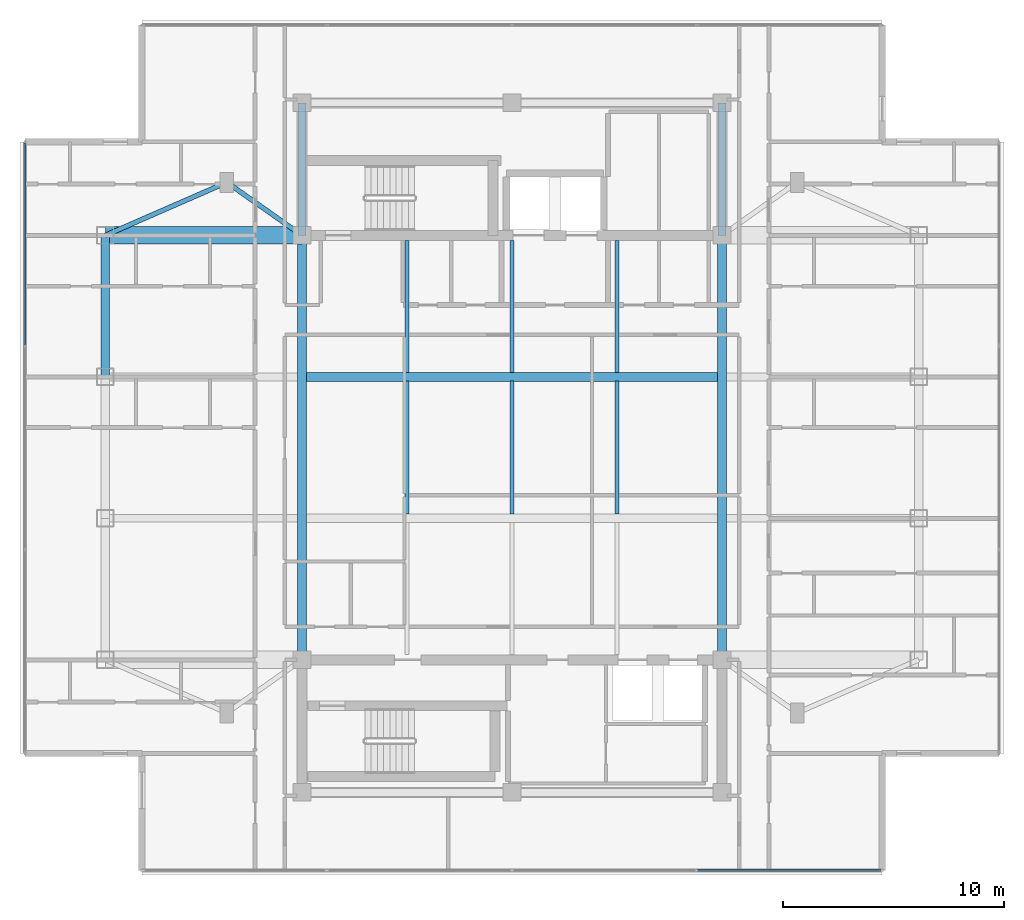
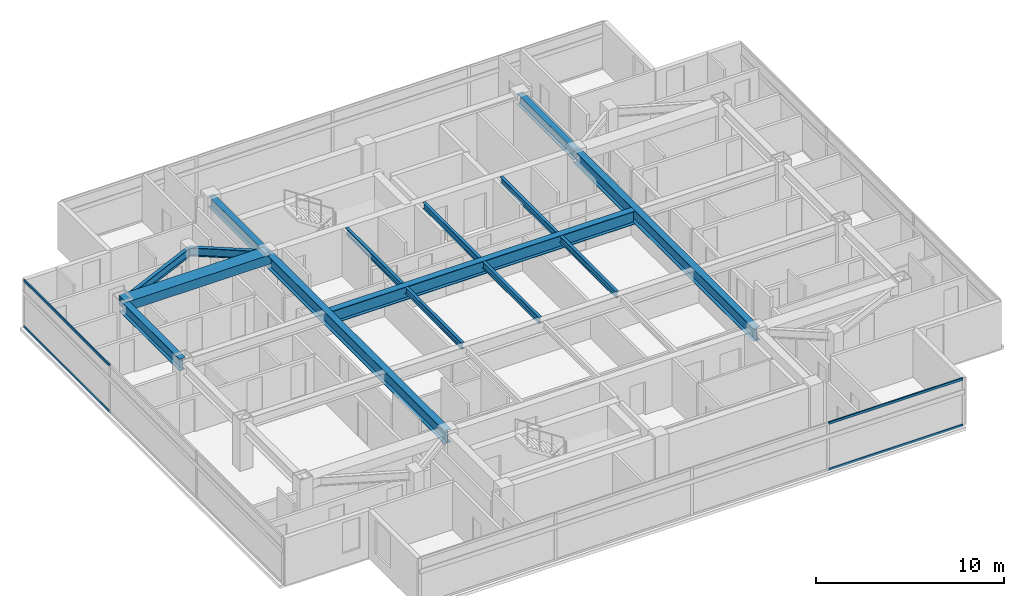
# One storey, part 3 of 14: 15 beams, 4 members, 2 elements without a shape of their own.
"""IFC4 building model written with IfcOpenShell, lengths in metres."""

from ifc_helpers import new_model, si_unit, direction, frame, origin, origin_2d, place, context, subcontext, project, spatial, rectangle, i_section, extrude, material, material_profile, profile_set, type_object, element, aggregate, save


model = new_model("IFC4")

# Units and contexts
model_context = context("Model", 3, precision=1e-05, world=origin(), true_north=direction((0.0, 1.0)))
body_context = subcontext(model_context, "Body", "Model", "MODEL_VIEW")
ifc_project = project(units=[si_unit("LENGTHUNIT", "METRE"), si_unit("AREAUNIT", "SQUARE_METRE"), si_unit("VOLUMEUNIT", "CUBIC_METRE"), si_unit("PLANEANGLEUNIT", "RADIAN"), si_unit("MASSUNIT", "GRAM", prefix="KILO")], contexts=[model_context])

# Site, building, storey
site_placement = place(None, origin())
site = spatial("IfcSite", under=ifc_project, at=site_placement, CompositionType="ELEMENT")
building_placement = place(site_placement, origin())
building = spatial("IfcBuilding", under=site, at=building_placement, Name="Mirazonda Arch Towers", CompositionType="ELEMENT")
storey_placement = place(building_placement, frame((0.0, 0.0, 242.5)))
storey = spatial("IfcBuildingStorey", under=building, at=storey_placement, Name="L69", CompositionType="ELEMENT", Elevation=242.5)

# Beams
ifc_material_1 = material(Name="Steel ASTM A992 Grade 50", Category="steel")
ifc_material_profile_1 = material_profile(ifc_material_1, i_section(OverallWidth=0.381103515625, OverallDepth=0.77294921875, WebThickness=0.0166015625, FlangeThickness=0.027099609375, at=origin_2d()), Name="W30X173")
ifc_profile_set_1 = profile_set([ifc_material_profile_1], Name="Steel ASTM A992 Grade 50")
beam_type_1 = type_object("IfcBeamType", Name="BM-EXT-W30X173", PredefinedType="USERDEFINED", material=ifc_profile_set_1)
beam_1_placement = place(storey_placement, frame((2.10009765625, 31.199951171875, 2.71337890625), z_axis=(0.0, 1.0, 0.0), x_axis=(-1.0, 0.0, 0.0)))
element("IfcBeam", 1, at=beam_1_placement, inside=storey, type_object=beam_type_1, Name="L69 Floor Beam BM-T1-L69-NS-W-31", ObjectType="GIRDER", PredefinedType="USERDEFINED", context=body_context, shape_type="SweptSolid", body=[
    extrude(i_section(OverallWidth=0.381103515625, OverallDepth=0.77294921875, WebThickness=0.0166015625, FlangeThickness=0.027099609375, at=origin_2d()), origin(), (0.0, 0.0, 1.0), 6.400146484375),
])
ifc_material_profile_2 = material_profile(ifc_material_1, i_section(OverallWidth=0.180908203125, OverallDepth=0.4169921875, WebThickness=0.010986328125, FlangeThickness=0.018310546875, at=origin_2d()), Name="W16X57")
ifc_profile_set_2 = profile_set([ifc_material_profile_2], Name="Steel ASTM A992 Grade 50")
beam_type_2 = type_object("IfcBeamType", Name="BM-INT-W16X57", PredefinedType="JOIST", material=ifc_profile_set_2)
beam_2_placement = place(storey_placement, frame((15.75, 31.39599609375, 2.8916015625), z_axis=(0.0, 1.0, 0.0), x_axis=(-1.0, 0.0, 0.0)))
element("IfcBeam", 2, at=beam_2_placement, inside=storey, type_object=beam_type_2, Name="L69 Floor Beam BM-T1-L69-J-157-31", PredefinedType="JOIST", context=body_context, shape_type="SweptSolid", body=[
    extrude(i_section(OverallWidth=0.180908203125, OverallDepth=0.4169921875, WebThickness=0.010986328125, FlangeThickness=0.018310546875, at=origin_2d()), origin(), (0.0, 0.0, 1.0), 5.964111328125),
])
beam_3_placement = place(storey_placement, frame((15.75, 24.99609375, 2.8916015625), z_axis=(0.0, 1.0, 0.0), x_axis=(-1.0, 0.0, 0.0)))
element("IfcBeam", 3, at=beam_3_placement, inside=storey, type_object=beam_type_2, Name="L69 Floor Beam BM-T1-L69-J-157-24", PredefinedType="JOIST", context=body_context, shape_type="SweptSolid", body=[
    extrude(i_section(OverallWidth=0.180908203125, OverallDepth=0.4169921875, WebThickness=0.010986328125, FlangeThickness=0.018310546875, at=origin_2d()), origin(), (0.0, 0.0, 1.0), 6.0078125),
])
beam_4_placement = place(storey_placement, frame((20.5, 31.39599609375, 2.8916015625), z_axis=(0.0, 1.0, 0.0), x_axis=(-1.0, 0.0, 0.0)))
element("IfcBeam", 4, at=beam_4_placement, inside=storey, type_object=beam_type_2, Name="L69 Floor Beam BM-T1-L69-J-205-31", PredefinedType="JOIST", context=body_context, shape_type="SweptSolid", body=[
    extrude(i_section(OverallWidth=0.180908203125, OverallDepth=0.4169921875, WebThickness=0.010986328125, FlangeThickness=0.018310546875, at=origin_2d()), origin(), (0.0, 0.0, 1.0), 5.964111328125),
])
beam_5_placement = place(storey_placement, frame((20.5, 24.99609375, 2.8916015625), z_axis=(0.0, 1.0, 0.0), x_axis=(-1.0, 0.0, 0.0)))
element("IfcBeam", 5, at=beam_5_placement, inside=storey, type_object=beam_type_2, Name="L69 Floor Beam BM-T1-L69-J-205-24", PredefinedType="JOIST", context=body_context, shape_type="SweptSolid", body=[
    extrude(i_section(OverallWidth=0.180908203125, OverallDepth=0.4169921875, WebThickness=0.010986328125, FlangeThickness=0.018310546875, at=origin_2d()), origin(), (0.0, 0.0, 1.0), 6.0078125),
])
beam_6_placement = place(storey_placement, frame((25.25, 31.39599609375, 2.8916015625), z_axis=(0.0, 1.0, 0.0), x_axis=(-1.0, 0.0, 0.0)))
element("IfcBeam", 6, at=beam_6_placement, inside=storey, type_object=beam_type_2, Name="L69 Floor Beam BM-T1-L69-J-252-31", PredefinedType="JOIST", context=body_context, shape_type="SweptSolid", body=[
    extrude(i_section(OverallWidth=0.180908203125, OverallDepth=0.4169921875, WebThickness=0.010986328125, FlangeThickness=0.018310546875, at=origin_2d()), origin(), (0.0, 0.0, 1.0), 5.964111328125),
])
beam_7_placement = place(storey_placement, frame((25.25, 24.99609375, 2.8916015625), z_axis=(0.0, 1.0, 0.0), x_axis=(-1.0, 0.0, 0.0)))
element("IfcBeam", 7, at=beam_7_placement, inside=storey, type_object=beam_type_2, Name="L69 Floor Beam BM-T1-L69-J-252-24", PredefinedType="JOIST", context=body_context, shape_type="SweptSolid", body=[
    extrude(i_section(OverallWidth=0.180908203125, OverallDepth=0.4169921875, WebThickness=0.010986328125, FlangeThickness=0.018310546875, at=origin_2d()), origin(), (0.0, 0.0, 1.0), 6.0078125),
])
ifc_material_profile_3 = material_profile(ifc_material_1, i_section(OverallWidth=0.214111328125, OverallDepth=0.549072265625, WebThickness=0.0146484375, FlangeThickness=0.023681640625, at=origin_2d()), Name="W21X93")
ifc_profile_set_3 = profile_set([ifc_material_profile_3], Name="Steel ASTM A992 Grade 50")
beam_type_3 = type_object("IfcBeamType", Name="BM-INT-W21X93", PredefinedType="BEAM", material=ifc_profile_set_3)
beam_8_placement = place(storey_placement, frame((7.60009765625, 40.0, 2.825439453125), z_axis=(0.816971114901, -0.576678591087, 0.0), x_axis=(0.576678591087, 0.816971114901, 0.0)))
element("IfcBeam", 8, at=beam_8_placement, inside=storey, type_object=beam_type_3, Name="L69 Floor Beam BM-T1-L69-PL-NW1", PredefinedType="BEAM", context=body_context, shape_type="SweptSolid", body=[
    extrude(i_section(OverallWidth=0.214111328125, OverallDepth=0.549072265625, WebThickness=0.0146484375, FlangeThickness=0.023681640625, at=origin_2d()), origin(), (0.0, 0.0, 1.0), 4.16162109375),
])
beam_9_placement = place(storey_placement, frame((7.60009765625, 40.0, 2.825439453125), z_axis=(-0.916545343703, -0.399930785183, 0.0), x_axis=(0.399930785183, -0.916545343703, 0.0)))
element("IfcBeam", 9, at=beam_9_placement, inside=storey, type_object=beam_type_3, Name="L69 Floor Beam BM-T1-L69-PL-NW2", PredefinedType="BEAM", context=body_context, shape_type="SweptSolid", body=[
    extrude(i_section(OverallWidth=0.214111328125, OverallDepth=0.549072265625, WebThickness=0.0146484375, FlangeThickness=0.023681640625, at=origin_2d()), origin(), (0.0, 0.0, 1.0), 6.000732421875),
])
ifc_material_profile_4 = material_profile(ifc_material_1, i_section(OverallWidth=0.35498046875, OverallDepth=0.696044921875, WebThickness=0.015380859375, FlangeThickness=0.02490234375, at=origin_2d()), Name="W27X146")
ifc_profile_set_4 = profile_set([ifc_material_profile_4], Name="Steel ASTM A992 Grade 50")
beam_type_4 = type_object("IfcBeamType", Name="BM-INT-W27X146", PredefinedType="BEAM", material=ifc_profile_set_4)
for number, where, z_axis, x_axis, name in (
    (10, (11.0, 37.60009765625, 2.751953125), (0.0, 1.0, 0.0), (-1.0, 0.0, 0.0), "L69 Floor Beam BM-T1-L69-CNW"),
    (11, (30.0, 37.60009765625, 2.751953125), (0.0, 1.0, 0.0), (-1.0, 0.0, 0.0), "L69 Floor Beam BM-T1-L69-CNE"),
):
    element("IfcBeam", number, at=place(storey_placement, frame(where, z_axis=z_axis, x_axis=x_axis)), inside=storey, type_object=beam_type_4, Name=name, PredefinedType="BEAM", context=body_context, shape_type="SweptSolid", body=[
        extrude(i_section(OverallWidth=0.35498046875, OverallDepth=0.696044921875, WebThickness=0.015380859375, FlangeThickness=0.02490234375, at=origin_2d()), origin(), (0.0, 0.0, 1.0), 6.0),
    ])
ifc_material_profile_5 = material_profile(ifc_material_1, i_section(OverallWidth=0.39990234375, OverallDepth=0.85595703125, WebThickness=0.018310546875, FlangeThickness=0.029296875, at=origin_2d()), Name="W33X201")
ifc_profile_set_5 = profile_set([ifc_material_profile_5], Name="Steel ASTM A992 Grade 50")
beam_type_5 = type_object("IfcBeamType", Name="BM-INT-W33X201", PredefinedType="USERDEFINED", material=ifc_profile_set_5)
beam_10_placement = place(storey_placement, frame((11.199951171875, 31.199951171875, 2.672119140625), z_axis=(1.0, 0.0, 0.0), x_axis=(0.0, 1.0, 0.0)))
element("IfcBeam", 12, at=beam_10_placement, inside=storey, type_object=beam_type_5, Name="L69 Floor Beam BM-T1-L69-GC3", ObjectType="GIRDER", PredefinedType="USERDEFINED", context=body_context, shape_type="SweptSolid", body=[
    extrude(i_section(OverallWidth=0.39990234375, OverallDepth=0.85595703125, WebThickness=0.018310546875, FlangeThickness=0.029296875, at=origin_2d()), origin(), (0.0, 0.0, 1.0), 18.60009765625),
])
for number, where, z_axis, x_axis, name in (
    (13, (11.0, 18.39990234375, 2.672119140625), (0.0, 1.0, 0.0), (-1.0, 0.0, 0.0), "L69 Floor Beam BM-T1-L69-NS-CW-FULL"),
    (14, (30.0, 18.39990234375, 2.672119140625), (0.0, 1.0, 0.0), (-1.0, 0.0, 0.0), "L69 Floor Beam BM-T1-L69-NS-CE-FULL"),
):
    element("IfcBeam", number, at=place(storey_placement, frame(where, z_axis=z_axis, x_axis=x_axis)), inside=storey, type_object=beam_type_5, Name=name, ObjectType="GIRDER", PredefinedType="USERDEFINED", context=body_context, shape_type="SweptSolid", body=[
        extrude(i_section(OverallWidth=0.39990234375, OverallDepth=0.85595703125, WebThickness=0.018310546875, FlangeThickness=0.029296875, at=origin_2d()), origin(), (0.0, 0.0, 1.0), 19.2001953125),
    ])
ifc_material_2 = material(Name="Concrete C60/75", Category="concrete")
ifc_material_profile_6 = material_profile(ifc_material_2, rectangle(XDim=0.800048828125, YDim=0.60009765625, at=origin_2d()), Name="RCCB800x600")
ifc_profile_set_6 = profile_set([ifc_material_profile_6], Name="Concrete C60/75")
beam_type_6 = type_object("IfcBeamType", Name="CB-INT-RCCB800x600", PredefinedType="SPANDREL", material=ifc_profile_set_6)
beam_11_placement = place(storey_placement, frame((2.10009765625, 37.60009765625, 2.800048828125), z_axis=(1.0, 0.0, 0.0), x_axis=(0.0, 1.0, 0.0)))
element("IfcBeam", 15, at=beam_11_placement, inside=storey, type_object=beam_type_6, Name="L69 Floor Beam CBC-T1-L69-NW", PredefinedType="SPANDREL", context=body_context, shape_type="SweptSolid", body=[
    extrude(rectangle(XDim=0.800048828125, YDim=0.60009765625, at=origin_2d()), origin(), (0.0, 0.0, 1.0), 8.89990234375),
])

# Curtain wall, members
ifc_material_3 = material(Name="Anodised Aluminium and Low-E Glass", Category="aluminium")
curtain_wall_type = type_object("IfcCurtainWallType", Name="CW-RES-UNIT", PredefinedType="NOTDEFINED", material=ifc_material_3)
curtain_wall_1_placement = place(storey_placement, origin())
curtain_wall_1 = element("IfcCurtainWall", 16, at=curtain_wall_1_placement, inside=storey, type_object=curtain_wall_type, Name="L69 T1 S Facade CW-L69-T1-S", PredefinedType="NOTDEFINED")
ifc_material_4 = material(Name="Anodised Aluminium Alloy", Category="aluminium")
ifc_material_profile_7 = material_profile(ifc_material_4, rectangle(XDim=0.074951171875, YDim=0.155029296875, at=origin_2d()), Name="ALU-TRAN-75x155")
ifc_profile_set_7 = profile_set([ifc_material_profile_7], Name="Anodised Aluminium Alloy")
member_type = type_object("IfcMemberType", Name="TRAN-CW-RES-UNIT", PredefinedType="USERDEFINED", material=ifc_profile_set_7)
member_1_placement = place(storey_placement, frame((37.175048828125, 8.8740234375, 0.03759765625), z_axis=(-1.0, 0.0, 0.0), x_axis=(0.0, -1.0, 0.0)))
member_1 = element("IfcMember", 17, at=member_1_placement, type_object=member_type, Name="CW-104 transom 1.1", ObjectType="TRANSOM", PredefinedType="USERDEFINED", context=body_context, shape_type="SweptSolid", body=[
    extrude(rectangle(XDim=0.074951171875, YDim=0.155029296875, at=origin_2d()), origin(), (0.0, 0.0, 1.0), 8.262451171875),
])
member_2_placement = place(storey_placement, frame((37.175048828125, 8.8740234375, 3.04248046875), z_axis=(-1.0, 0.0, 0.0), x_axis=(0.0, -1.0, 0.0)))
member_2 = element("IfcMember", 18, at=member_2_placement, type_object=member_type, Name="CW-104 transom 1.2", ObjectType="TRANSOM", PredefinedType="USERDEFINED", context=body_context, shape_type="SweptSolid", body=[
    extrude(rectangle(XDim=0.074951171875, YDim=0.155029296875, at=origin_2d()), origin(), (0.0, 0.0, 1.0), 8.262451171875),
])
aggregate(curtain_wall_1, [member_1, member_2])

curtain_wall_2_placement = place(storey_placement, origin())
curtain_wall_2 = element("IfcCurtainWall", 19, at=curtain_wall_2_placement, inside=storey, type_object=curtain_wall_type, Name="L69 T1 W Facade CW-L69-T1-W", PredefinedType="NOTDEFINED")
member_3_placement = place(storey_placement, frame((-1.5400390625, 41.760986328125, 0.03759765625), z_axis=(0.0, -1.0, 0.0), x_axis=(1.0, 0.0, 0.0)))
member_3 = element("IfcMember", 20, at=member_3_placement, type_object=member_type, Name="CW-104 transom 1.1", ObjectType="TRANSOM", PredefinedType="USERDEFINED", context=body_context, shape_type="SweptSolid", body=[
    extrude(rectangle(XDim=0.074951171875, YDim=0.155029296875, at=origin_2d()), origin(), (0.0, 0.0, 1.0), 9.111572265625),
])
member_4_placement = place(storey_placement, frame((-1.5400390625, 41.760986328125, 3.04248046875), z_axis=(0.0, -1.0, 0.0), x_axis=(1.0, 0.0, 0.0)))
member_4 = element("IfcMember", 21, at=member_4_placement, type_object=member_type, Name="CW-104 transom 1.2", ObjectType="TRANSOM", PredefinedType="USERDEFINED", context=body_context, shape_type="SweptSolid", body=[
    extrude(rectangle(XDim=0.074951171875, YDim=0.155029296875, at=origin_2d()), origin(), (0.0, 0.0, 1.0), 9.111572265625),
])
aggregate(curtain_wall_2, [member_3, member_4])

save(model, "model.ifc")
